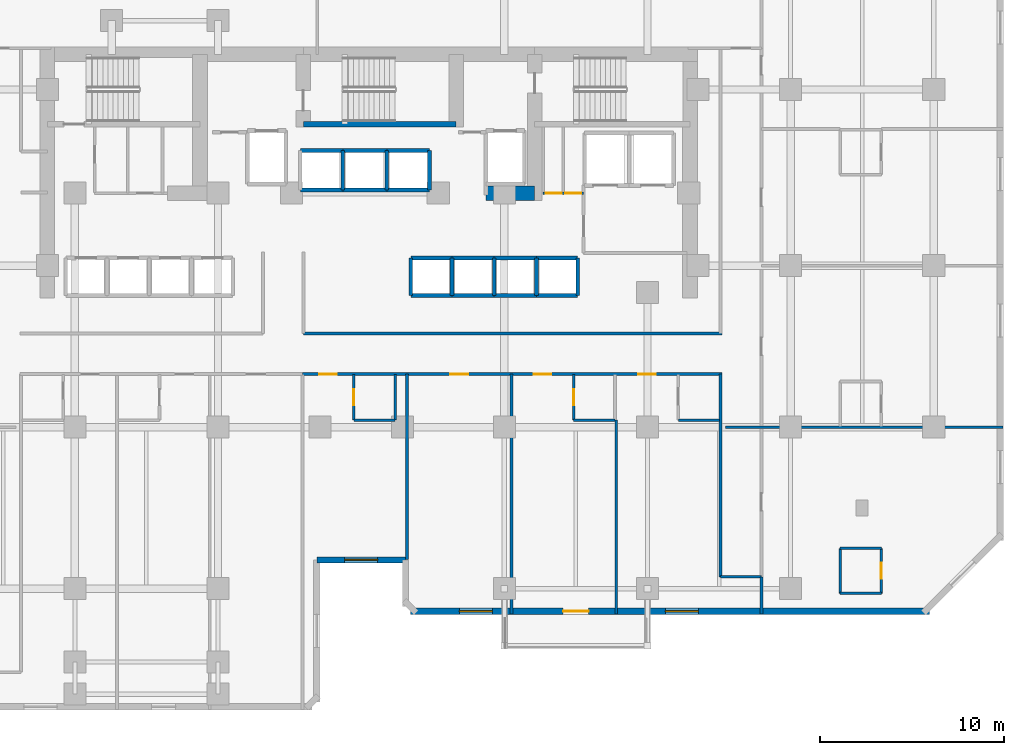
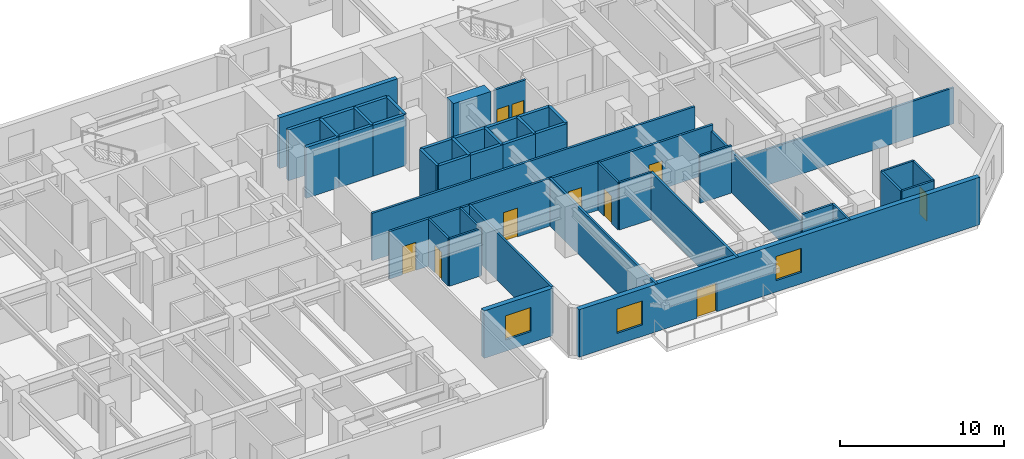
# One storey, part 7 of 12: 46 walls, 10 doors, 3 windows, 13 openings.
"""IFC4 building model written with IfcOpenShell, lengths in metres."""

from ifc_helpers import new_model, si_unit, direction, frame, frame_2d, origin, place, context, subcontext, project, spatial, rectangle, extrude, material, layer, layer_set, type_object, element, fill, save


model = new_model("IFC4")

# Units and contexts
model_context = context("Model", 3, precision=1e-05, world=origin(), true_north=direction((0.0, 1.0)))
body_context = subcontext(model_context, "Body", "Model", "MODEL_VIEW")
ifc_project = project(units=[si_unit("LENGTHUNIT", "METRE"), si_unit("AREAUNIT", "SQUARE_METRE"), si_unit("VOLUMEUNIT", "CUBIC_METRE"), si_unit("PLANEANGLEUNIT", "RADIAN"), si_unit("MASSUNIT", "GRAM", prefix="KILO")], contexts=[model_context])

# Site, building, storey
site_placement = place(None, origin())
site = spatial("IfcSite", under=ifc_project, at=site_placement, CompositionType="ELEMENT")
building_placement = place(site_placement, origin())
building = spatial("IfcBuilding", under=site, at=building_placement, Name="Kestravale Grand Hotel", CompositionType="ELEMENT")
storey_placement = place(building_placement, frame((0.0, 0.0, 122.199951171875)))
storey = spatial("IfcBuildingStorey", under=building, at=storey_placement, Name="L30", CompositionType="ELEMENT", Elevation=122.199951171875)

# Wall
ifc_material_1 = material(Name="Concrete f'c 60 MPa", Category="concrete")
ifc_layer_1 = layer(ifc_material_1, 0.800048828125)
ifc_layer_set_1 = layer_set([ifc_layer_1], Name="EW-CORE-800")
wall_type_1 = type_object("IfcWallType", Name="EW-CORE-800", PredefinedType="SHEAR", material=ifc_layer_set_1)
wall_1_placement = place(storey_placement, frame((45.81005859375, 32.75, 0.0), z_axis=(0.0, 0.0, 1.0), x_axis=(1.0, 0.0, 0.0)))
element("IfcWall", 1, at=wall_1_placement, inside=storey, type_object=wall_type_1, Name="L30 core shear wall S2", PredefinedType="SHEAR", context=body_context, shape_type="SweptSolid", body=[
    extrude(rectangle(XDim=2.639892578125, YDim=0.800048828125, at=frame_2d((1.31982421875, 0.0))), origin(), (0.0, 0.0, 1.0), 3.800048828125),
])

# Wall, opening, window
ifc_material_2 = material(Name="Precast concrete f'c 45 MPa", Category="concrete")
ifc_layer_2 = layer(ifc_material_2, 0.340087890625)
ifc_layer_set_2 = layer_set([ifc_layer_2], Name="EW-PREC-340")
wall_type_2 = type_object("IfcWallType", Name="EW-PREC-340", PredefinedType="SOLIDWALL", material=ifc_layer_set_2)
wall_2_placement = place(storey_placement, frame((36.580078125, 12.77001953125, 0.0), z_axis=(0.0, 0.0, 1.0), x_axis=(1.0, 0.0, 0.0)))
wall_2 = element("IfcWall", 2, at=wall_2_placement, inside=storey, type_object=wall_type_2, Name="L30 fluted precast facade wall 4", PredefinedType="SOLIDWALL", context=body_context, shape_type="SweptSolid", body=[
    extrude(rectangle(XDim=4.83984375, YDim=0.340087890625, at=frame_2d((2.419921875, 0.0))), origin(), (0.0, 0.0, 1.0), 3.5400390625),
])
opening_1_placement = place(wall_2_placement, frame((1.52001953125, 0.0, 0.85009765625)))
opening_1 = element("IfcOpeningElement", 3, at=opening_1_placement, cuts=wall_2, Name="Opening W-GUEST-1800", PredefinedType="OPENING", context=body_context, shape_type="SweptSolid", body=[
    extrude(rectangle(XDim=1.800048828125, YDim=1.800048828125, at=frame_2d((0.89990234375, 0.89990234375))), frame((0.0, 0.179931640625, 0.0), z_axis=(0.0, -1.0, 0.0), x_axis=(1.0, 0.0, 0.0)), (0.0, 0.0, 1.0), 0.360107421875),
])
ifc_material_3 = material(Name="Insulated low-E double glazing in aluminium frame", Category="aluminium")
window_type = type_object("IfcWindowType", Name="W-GUEST-1800", PartitioningType="DOUBLE_PANEL_VERTICAL", PredefinedType="WINDOW", material=ifc_material_3)
window_1_placement = place(opening_1_placement, origin())
window_1 = element("IfcWindow", 4, at=window_1_placement, inside=storey, type_object=window_type, Name="L30 exterior window 4.1", OverallHeight=1.800048828125, OverallWidth=1.800048828125, PartitioningType="SINGLE_PANEL", PredefinedType="WINDOW", context=body_context, shape_type="SweptSolid", body=[
    extrude(rectangle(XDim=1.800048828125, YDim=1.800048828125, at=frame_2d((0.89990234375, 0.89990234375))), frame((0.0, 0.030029296875, 0.0), z_axis=(0.0, -1.0, 0.0), x_axis=(1.0, 0.0, 0.0)), (0.0, 0.0, 1.0), 0.06005859375),
])
fill(opening_1, window_1)

# Wall, openings, door, windows
wall_3_placement = place(storey_placement, frame((41.679931640625, 9.969970703125, 0.0), z_axis=(0.0, 0.0, 1.0), x_axis=(1.0, 0.0, 0.0)))
wall_3 = element("IfcWall", 5, at=wall_3_placement, inside=storey, type_object=wall_type_2, Name="L30 fluted precast facade wall 7", PredefinedType="SOLIDWALL", context=body_context, shape_type="SweptSolid", body=[
    extrude(rectangle(XDim=28.2900390625, YDim=0.340087890625, at=frame_2d((14.14501953125, 0.0))), origin(), (0.0, 0.0, 1.0), 3.5400390625),
])
opening_2_placement = place(wall_3_placement, frame((8.320068359375, 0.0, 0.0)))
opening_2 = element("IfcOpeningElement", 6, at=opening_2_placement, cuts=wall_3, Name="Opening D-TERR-1400", PredefinedType="OPENING", context=body_context, shape_type="SweptSolid", body=[
    extrude(rectangle(XDim=1.39990234375, YDim=2.14990234375, at=frame_2d((0.699951171875, 1.074951171875))), frame((0.0, 0.179931640625, 0.0), z_axis=(0.0, -1.0, 0.0), x_axis=(1.0, 0.0, 0.0)), (0.0, 0.0, 1.0), 0.360107421875),
])
opening_3_placement = place(wall_3_placement, frame((2.6650390625, 0.0, 0.85009765625)))
opening_3 = element("IfcOpeningElement", 7, at=opening_3_placement, cuts=wall_3, Name="Opening W-GUEST-1800", PredefinedType="OPENING", context=body_context, shape_type="SweptSolid", body=[
    extrude(rectangle(XDim=1.800048828125, YDim=1.800048828125, at=frame_2d((0.89990234375, 0.89990234375))), frame((0.0, 0.179931640625, 0.0), z_axis=(0.0, -1.0, 0.0), x_axis=(1.0, 0.0, 0.0)), (0.0, 0.0, 1.0), 0.360107421875),
])
opening_4_placement = place(wall_3_placement, frame((13.89501953125, 0.0, 0.85009765625)))
opening_4 = element("IfcOpeningElement", 8, at=opening_4_placement, cuts=wall_3, Name="Opening W-GUEST-1800", PredefinedType="OPENING", context=body_context, shape_type="SweptSolid", body=[
    extrude(rectangle(XDim=1.800048828125, YDim=1.800048828125, at=frame_2d((0.89990234375, 0.89990234375))), frame((0.0, 0.179931640625, 0.0), z_axis=(0.0, -1.0, 0.0), x_axis=(1.0, 0.0, 0.0)), (0.0, 0.0, 1.0), 0.360107421875),
])
ifc_material_4 = material(Name="Insulated glazed champagne-bronze aluminium door", Category="aluminium")
door_type_1 = type_object("IfcDoorType", Name="D-TERR-1400", OperationType="NOTDEFINED", PredefinedType="DOOR", material=ifc_material_4)
door_1_placement = place(opening_2_placement, origin())
door_1 = element("IfcDoor", 9, at=door_1_placement, inside=storey, type_object=door_type_1, Name="L30 outdoor garden terrace door", OperationType="DOUBLE_DOOR_SINGLE_SWING", OverallHeight=2.14990234375, OverallWidth=1.39990234375, PredefinedType="DOOR", context=body_context, shape_type="SweptSolid", body=[
    extrude(rectangle(XDim=1.39990234375, YDim=2.14990234375, at=frame_2d((0.699951171875, 1.074951171875))), frame((0.0, 0.02490234375, 0.0), z_axis=(0.0, -1.0, 0.0), x_axis=(1.0, 0.0, 0.0)), (0.0, 0.0, 1.0), 0.050048828125),
])
fill(opening_2, door_1)
window_2_placement = place(opening_3_placement, origin())
window_2 = element("IfcWindow", 10, at=window_2_placement, inside=storey, type_object=window_type, Name="L30 exterior window 7.1", OverallHeight=1.800048828125, OverallWidth=1.800048828125, PartitioningType="SINGLE_PANEL", PredefinedType="WINDOW", context=body_context, shape_type="SweptSolid", body=[
    extrude(rectangle(XDim=1.800048828125, YDim=1.800048828125, at=frame_2d((0.89990234375, 0.89990234375))), frame((0.0, 0.030029296875, 0.0), z_axis=(0.0, -1.0, 0.0), x_axis=(1.0, 0.0, 0.0)), (0.0, 0.0, 1.0), 0.06005859375),
])
fill(opening_3, window_2)
window_3_placement = place(opening_4_placement, origin())
window_3 = element("IfcWindow", 11, at=window_3_placement, inside=storey, type_object=window_type, Name="L30 exterior window 7.2", OverallHeight=1.800048828125, OverallWidth=1.800048828125, PartitioningType="SINGLE_PANEL", PredefinedType="WINDOW", context=body_context, shape_type="SweptSolid", body=[
    extrude(rectangle(XDim=1.800048828125, YDim=1.800048828125, at=frame_2d((0.89990234375, 0.89990234375))), frame((0.0, 0.030029296875, 0.0), z_axis=(0.0, -1.0, 0.0), x_axis=(1.0, 0.0, 0.0)), (0.0, 0.0, 1.0), 0.06005859375),
])
fill(opening_4, window_3)

# Wall
ifc_material_5 = material(Name="Concrete f'c 45 MPa", Category="concrete")
ifc_layer_3 = layer(ifc_material_5, 0.300048828125)
ifc_layer_set_3 = layer_set([ifc_layer_3], Name="EW-STAIR-300")
wall_type_3 = type_object("IfcWallType", Name="EW-STAIR-300", PredefinedType="SHEAR", material=ifc_layer_set_3)
wall_4_placement = place(storey_placement, frame((35.85009765625, 36.52001953125, 0.0), z_axis=(0.0, 0.0, 1.0), x_axis=(1.0, 0.0, 0.0)))
element("IfcWall", 12, at=wall_4_placement, inside=storey, type_object=wall_type_3, Name="L30 stair enclosure shear wall SST2", PredefinedType="SHEAR", context=body_context, shape_type="SweptSolid", body=[
    extrude(rectangle(XDim=8.329833984375, YDim=0.300048828125, at=frame_2d((4.1650390625, 0.0))), origin(), (0.0, 0.0, 1.0), 3.800048828125),
])

# Wall, openings, doors
ifc_material_6 = material(Name="Acoustic fire-rated gypsum board partition", Category="other")
ifc_layer_4 = layer(ifc_material_6, 0.159912109375)
ifc_layer_set_4 = layer_set([ifc_layer_4], Name="IW-CORR-160")
wall_type_4 = type_object("IfcWallType", Name="IW-CORR-160", PredefinedType="PARTITIONING", material=ifc_layer_set_4)
wall_5_placement = place(storey_placement, frame((48.919921875, 32.75, 0.0), z_axis=(0.0, 0.0, 1.0), x_axis=(1.0, 0.0, 0.0)))
wall_5 = element("IfcWall", 13, at=wall_5_placement, inside=storey, type_object=wall_type_4, Name="W-L30-CES", PredefinedType="PARTITIONING", context=body_context, shape_type="SweptSolid", body=[
    extrude(rectangle(XDim=2.2001953125, YDim=0.159912109375, at=frame_2d((1.10009765625, 0.0))), origin(), (0.0, 0.0, 1.0), 3.5400390625),
])
opening_5_placement = place(wall_5_placement, frame((0.139892578125, 0.0, 0.0)))
opening_5 = element("IfcOpeningElement", 14, at=opening_5_placement, cuts=wall_5, Name="Opening D-SH-860", PredefinedType="OPENING", context=body_context, shape_type="SweptSolid", body=[
    extrude(rectangle(XDim=0.860107421875, YDim=2.050048828125, at=frame_2d((0.43017578125, 1.02490234375))), frame((0.0, 0.08984375, 0.0), z_axis=(0.0, -1.0, 0.0), x_axis=(1.0, 0.0, 0.0)), (0.0, 0.0, 1.0), 0.179931640625),
])
opening_6_placement = place(wall_5_placement, frame((1.199951171875, 0.0, 0.0)))
opening_6 = element("IfcOpeningElement", 15, at=opening_6_placement, cuts=wall_5, Name="Opening D-SH-860", PredefinedType="OPENING", context=body_context, shape_type="SweptSolid", body=[
    extrude(rectangle(XDim=0.860107421875, YDim=2.050048828125, at=frame_2d((0.43017578125, 1.02490234375))), frame((0.0, 0.08984375, 0.0), z_axis=(0.0, -1.0, 0.0), x_axis=(1.0, 0.0, 0.0)), (0.0, 0.0, 1.0), 0.179931640625),
])
ifc_material_7 = material(Name="Galvanised 90-minute riser fire door", Category="steel")
door_type_2 = type_object("IfcDoorType", Name="D-SH-860", OperationType="NOTDEFINED", PredefinedType="DOOR", material=ifc_material_7)
door_2_placement = place(opening_5_placement, origin())
door_2 = element("IfcDoor", 16, at=door_2_placement, inside=storey, type_object=door_type_2, Name="L30 CSTO1 door", OperationType="SINGLE_SWING_LEFT", OverallHeight=2.050048828125, OverallWidth=0.860107421875, PredefinedType="DOOR", context=body_context, shape_type="SweptSolid", body=[
    extrude(rectangle(XDim=0.860107421875, YDim=2.050048828125, at=frame_2d((0.43017578125, 1.02490234375))), frame((0.0, 0.02490234375, 0.0), z_axis=(0.0, -1.0, 0.0), x_axis=(1.0, 0.0, 0.0)), (0.0, 0.0, 1.0), 0.050048828125),
])
fill(opening_5, door_2)
door_3_placement = place(opening_6_placement, origin())
door_3 = element("IfcDoor", 17, at=door_3_placement, inside=storey, type_object=door_type_2, Name="L30 CSTO2 door", OperationType="SINGLE_SWING_RIGHT", OverallHeight=2.050048828125, OverallWidth=0.860107421875, PredefinedType="DOOR", context=body_context, shape_type="SweptSolid", body=[
    extrude(rectangle(XDim=0.860107421875, YDim=2.050048828125, at=frame_2d((0.43017578125, 1.02490234375))), frame((0.0, 0.02490234375, 0.0), z_axis=(0.0, -1.0, 0.0), x_axis=(1.0, 0.0, 0.0)), (0.0, 0.0, 1.0), 0.050048828125),
])
fill(opening_6, door_3)

# Wall
wall_6_placement = place(storey_placement, frame((35.85009765625, 25.110107421875, 0.0), z_axis=(0.0, 0.0, 1.0), x_axis=(1.0, 0.0, 0.0)))
element("IfcWall", 18, at=wall_6_placement, inside=storey, type_object=wall_type_4, Name="W-L30-CE-N", PredefinedType="PARTITIONING", context=body_context, shape_type="SweptSolid", body=[
    extrude(rectangle(XDim=22.7998046875, YDim=0.159912109375, at=frame_2d((11.39990234375, 0.0))), origin(), (0.0, 0.0, 1.0), 3.5400390625),
])

# Wall, openings, doors
wall_7_placement = place(storey_placement, frame((35.800048828125, 22.889892578125, 0.0), z_axis=(0.0, 0.0, 1.0), x_axis=(1.0, 0.0, 0.0)))
wall_7 = element("IfcWall", 19, at=wall_7_placement, inside=storey, type_object=wall_type_4, Name="W-L30-CE-S", PredefinedType="PARTITIONING", context=body_context, shape_type="SweptSolid", body=[
    extrude(rectangle(XDim=22.849853515625, YDim=0.159912109375, at=frame_2d((11.4248046875, 0.0))), origin(), (0.0, 0.0, 1.0), 3.5400390625),
])
opening_7_placement = place(wall_7_placement, frame((0.923828125, 0.0, 0.0)))
opening_7 = element("IfcOpeningElement", 20, at=opening_7_placement, cuts=wall_7, Name="Opening D-GUEST-950", PredefinedType="OPENING", context=body_context, shape_type="SweptSolid", body=[
    extrude(rectangle(XDim=0.949951171875, YDim=2.10009765625, at=frame_2d((0.47509765625, 1.050048828125))), frame((0.0, 0.08984375, 0.0), z_axis=(0.0, -1.0, 0.0), x_axis=(1.0, 0.0, 0.0)), (0.0, 0.0, 1.0), 0.179931640625),
])
opening_8_placement = place(wall_7_placement, frame((8.04638671875, 0.0, 0.0)))
opening_8 = element("IfcOpeningElement", 21, at=opening_8_placement, cuts=wall_7, Name="Opening D-GUEST-1000", PredefinedType="OPENING", context=body_context, shape_type="SweptSolid", body=[
    extrude(rectangle(XDim=1.0, YDim=2.14990234375, at=frame_2d((0.5, 1.074951171875))), frame((0.0, 0.08984375, 0.0), z_axis=(0.0, -1.0, 0.0), x_axis=(1.0, 0.0, 0.0)), (0.0, 0.0, 1.0), 0.179931640625),
])
opening_9_placement = place(wall_7_placement, frame((12.61376953125, 0.0, 0.0)))
opening_9 = element("IfcOpeningElement", 22, at=opening_9_placement, cuts=wall_7, Name="Opening D-GUEST-950", PredefinedType="OPENING", context=body_context, shape_type="SweptSolid", body=[
    extrude(rectangle(XDim=0.949951171875, YDim=2.10009765625, at=frame_2d((0.47509765625, 1.050048828125))), frame((0.0, 0.08984375, 0.0), z_axis=(0.0, -1.0, 0.0), x_axis=(1.0, 0.0, 0.0)), (0.0, 0.0, 1.0), 0.179931640625),
])
opening_10_placement = place(wall_7_placement, frame((18.311279296875, 0.0, 0.0)))
opening_10 = element("IfcOpeningElement", 23, at=opening_10_placement, cuts=wall_7, Name="Opening D-GUEST-950", PredefinedType="OPENING", context=body_context, shape_type="SweptSolid", body=[
    extrude(rectangle(XDim=0.949951171875, YDim=2.10009765625, at=frame_2d((0.47509765625, 1.050048828125))), frame((0.0, 0.08984375, 0.0), z_axis=(0.0, -1.0, 0.0), x_axis=(1.0, 0.0, 0.0)), (0.0, 0.0, 1.0), 0.179931640625),
])
ifc_material_8 = material(Name="Accessible walnut veneer hotel entrance fire door", Category="wood")
door_type_3 = type_object("IfcDoorType", Name="D-GUEST-1000", OperationType="NOTDEFINED", PredefinedType="DOOR", material=ifc_material_8)
door_4_placement = place(opening_8_placement, origin())
door_4 = element("IfcDoor", 24, at=door_4_placement, inside=storey, type_object=door_type_3, Name="D-L30-AME", OperationType="SINGLE_SWING_RIGHT", OverallHeight=2.14990234375, OverallWidth=1.0, PredefinedType="DOOR", context=body_context, shape_type="SweptSolid", body=[
    extrude(rectangle(XDim=1.0, YDim=2.14990234375, at=frame_2d((0.5, 1.074951171875))), frame((0.0, 0.02490234375, 0.0), z_axis=(0.0, -1.0, 0.0), x_axis=(1.0, 0.0, 0.0)), (0.0, 0.0, 1.0), 0.050048828125),
])
fill(opening_8, door_4)
ifc_material_9 = material(Name="Walnut veneer hotel guestroom entrance fire door", Category="wood")
door_type_4 = type_object("IfcDoorType", Name="D-GUEST-950", OperationType="NOTDEFINED", PredefinedType="DOOR", material=ifc_material_9)
door_5_placement = place(opening_7_placement, origin())
door_5 = element("IfcDoor", 25, at=door_5_placement, inside=storey, type_object=door_type_4, Name="D-L30-U03-ENT", OperationType="SINGLE_SWING_LEFT", OverallHeight=2.10009765625, OverallWidth=0.949951171875, PredefinedType="DOOR", context=body_context, shape_type="SweptSolid", body=[
    extrude(rectangle(XDim=0.949951171875, YDim=2.10009765625, at=frame_2d((0.47509765625, 1.050048828125))), frame((0.0, 0.02490234375, 0.0), z_axis=(0.0, -1.0, 0.0), x_axis=(1.0, 0.0, 0.0)), (0.0, 0.0, 1.0), 0.050048828125),
])
fill(opening_7, door_5)
door_6_placement = place(opening_9_placement, origin())
door_6 = element("IfcDoor", 26, at=door_6_placement, inside=storey, type_object=door_type_4, Name="D-L30-U04-ENT", OperationType="SINGLE_SWING_RIGHT", OverallHeight=2.10009765625, OverallWidth=0.949951171875, PredefinedType="DOOR", context=body_context, shape_type="SweptSolid", body=[
    extrude(rectangle(XDim=0.949951171875, YDim=2.10009765625, at=frame_2d((0.47509765625, 1.050048828125))), frame((0.0, 0.02490234375, 0.0), z_axis=(0.0, -1.0, 0.0), x_axis=(1.0, 0.0, 0.0)), (0.0, 0.0, 1.0), 0.050048828125),
])
fill(opening_9, door_6)
door_7_placement = place(opening_10_placement, origin())
door_7 = element("IfcDoor", 27, at=door_7_placement, inside=storey, type_object=door_type_4, Name="D-L30-U05-ENT", OperationType="SINGLE_SWING_RIGHT", OverallHeight=2.10009765625, OverallWidth=0.949951171875, PredefinedType="DOOR", context=body_context, shape_type="SweptSolid", body=[
    extrude(rectangle(XDim=0.949951171875, YDim=2.10009765625, at=frame_2d((0.47509765625, 1.050048828125))), frame((0.0, 0.02490234375, 0.0), z_axis=(0.0, -1.0, 0.0), x_axis=(1.0, 0.0, 0.0)), (0.0, 0.0, 1.0), 0.050048828125),
])
fill(opening_10, door_7)

# Wall
wall_8_placement = place(storey_placement, frame((58.590087890625, 11.85009765625, 0.0), z_axis=(0.0, 0.0, 1.0), x_axis=(0.0, 1.0, 0.0)))
element("IfcWall", 28, at=wall_8_placement, inside=storey, type_object=wall_type_4, Name="W-L30-SE-W", PredefinedType="PARTITIONING", context=body_context, shape_type="SweptSolid", body=[
    extrude(rectangle(XDim=11.039794921875, YDim=0.159912109375, at=frame_2d((5.52001953125, 0.0))), origin(), (0.0, 0.0, 1.0), 3.0830078125),
])

# Wall, opening, door
ifc_material_10 = material(Name="Moisture-resistant tile-backer plumbing chase wall", Category="other")
ifc_layer_5 = layer(ifc_material_10, 0.139892578125)
ifc_layer_set_5 = layer_set([ifc_layer_5], Name="IW-PLB-140")
wall_type_5 = type_object("IfcWallType", Name="IW-PLB-140", PredefinedType="PLUMBINGWALL", material=ifc_layer_set_5)
wall_9_placement = place(storey_placement, frame((38.597412109375, 20.3798828125, 0.0), z_axis=(0.0, 0.0, 1.0), x_axis=(0.0, 1.0, 0.0)))
wall_9 = element("IfcWall", 29, at=wall_9_placement, inside=storey, type_object=wall_type_5, Name="W-L30-U03-BW", PredefinedType="PLUMBINGWALL", context=body_context, shape_type="SweptSolid", body=[
    extrude(rectangle(XDim=2.490234375, YDim=0.139892578125, at=frame_2d((1.2451171875, 0.0))), origin(), (0.0, 0.0, 1.0), 3.5400390625),
])
opening_11_placement = place(wall_9_placement, frame((0.804931640625, 0.0, 0.0)))
opening_11 = element("IfcOpeningElement", 30, at=opening_11_placement, cuts=wall_9, Name="Opening D-BATH-880", PredefinedType="OPENING", context=body_context, shape_type="SweptSolid", body=[
    extrude(rectangle(XDim=0.8798828125, YDim=2.050048828125, at=frame_2d((0.43994140625, 1.02490234375))), frame((0.0, 0.079833984375, 0.0), z_axis=(0.0, -1.0, 0.0), x_axis=(1.0, 0.0, 0.0)), (0.0, 0.0, 1.0), 0.159912109375),
])
ifc_material_11 = material(Name="Moisture-sealed walnut en-suite bathroom door", Category="wood")
door_type_5 = type_object("IfcDoorType", Name="D-BATH-880", OperationType="NOTDEFINED", PredefinedType="DOOR", material=ifc_material_11)
door_8_placement = place(opening_11_placement, origin())
door_8 = element("IfcDoor", 31, at=door_8_placement, inside=storey, type_object=door_type_5, Name="D-L30-U03-BATH", OperationType="SINGLE_SWING_RIGHT", OverallHeight=2.050048828125, OverallWidth=0.8798828125, PredefinedType="DOOR", context=body_context, shape_type="SweptSolid", body=[
    extrude(rectangle(XDim=0.8798828125, YDim=2.050048828125, at=frame_2d((0.43994140625, 1.02490234375))), frame((0.0, 0.02490234375, 0.0), z_axis=(0.0, -1.0, 0.0), x_axis=(1.0, 0.0, 0.0)), (0.0, 0.0, 1.0), 0.050048828125),
])
fill(opening_11, door_8)

# Walls
wall_10_placement = place(storey_placement, frame((40.847412109375, 20.3798828125, 0.0), z_axis=(0.0, 0.0, 1.0), x_axis=(0.0, 1.0, 0.0)))
element("IfcWall", 32, at=wall_10_placement, inside=storey, type_object=wall_type_5, Name="W-L30-U03-BE", PredefinedType="PLUMBINGWALL", context=body_context, shape_type="SweptSolid", body=[
    extrude(rectangle(XDim=2.490234375, YDim=0.139892578125, at=frame_2d((1.2451171875, 0.0))), origin(), (0.0, 0.0, 1.0), 3.5400390625),
])
wall_11_placement = place(storey_placement, frame((38.597412109375, 20.3798828125, 0.0), z_axis=(0.0, 0.0, 1.0), x_axis=(1.0, 0.0, 0.0)))
element("IfcWall", 33, at=wall_11_placement, inside=storey, type_object=wall_type_5, Name="W-L30-U03-BS", PredefinedType="PLUMBINGWALL", context=body_context, shape_type="SweptSolid", body=[
    extrude(rectangle(XDim=2.25, YDim=0.139892578125, at=frame_2d((1.125, 0.0))), origin(), (0.0, 0.0, 1.0), 3.5400390625),
])

# Wall, opening, door
wall_12_placement = place(storey_placement, frame((50.58251953125, 20.3798828125, 0.0), z_axis=(0.0, 0.0, 1.0), x_axis=(0.0, 1.0, 0.0)))
wall_12 = element("IfcWall", 34, at=wall_12_placement, inside=storey, type_object=wall_type_5, Name="W-L30-U04-BW", PredefinedType="PLUMBINGWALL", context=body_context, shape_type="SweptSolid", body=[
    extrude(rectangle(XDim=2.490234375, YDim=0.139892578125, at=frame_2d((1.2451171875, 0.0))), origin(), (0.0, 0.0, 1.0), 3.5400390625),
])
opening_12_placement = place(wall_12_placement, frame((0.804931640625, 0.0, 0.0)))
opening_12 = element("IfcOpeningElement", 35, at=opening_12_placement, cuts=wall_12, Name="Opening D-BATH-880", PredefinedType="OPENING", context=body_context, shape_type="SweptSolid", body=[
    extrude(rectangle(XDim=0.8798828125, YDim=2.050048828125, at=frame_2d((0.43994140625, 1.02490234375))), frame((0.0, 0.079833984375, 0.0), z_axis=(0.0, -1.0, 0.0), x_axis=(1.0, 0.0, 0.0)), (0.0, 0.0, 1.0), 0.159912109375),
])
door_9_placement = place(opening_12_placement, origin())
door_9 = element("IfcDoor", 36, at=door_9_placement, inside=storey, type_object=door_type_5, Name="D-L30-U04-BATH", OperationType="SINGLE_SWING_LEFT", OverallHeight=2.050048828125, OverallWidth=0.8798828125, PredefinedType="DOOR", context=body_context, shape_type="SweptSolid", body=[
    extrude(rectangle(XDim=0.8798828125, YDim=2.050048828125, at=frame_2d((0.43994140625, 1.02490234375))), frame((0.0, 0.02490234375, 0.0), z_axis=(0.0, -1.0, 0.0), x_axis=(1.0, 0.0, 0.0)), (0.0, 0.0, 1.0), 0.050048828125),
])
fill(opening_12, door_9)

# Walls
for number, where, z_axis, x_axis, name in (
    (37, (50.58251953125, 20.3798828125, 0.0), (0.0, 0.0, 1.0), (1.0, 0.0, 0.0), "W-L30-U04-BS"),
    (38, (56.280029296875, 20.3798828125, 0.0), (0.0, 0.0, 1.0), (1.0, 0.0, 0.0), "W-L30-U05-BS"),
):
    element("IfcWall", number, at=place(storey_placement, frame(where, z_axis=z_axis, x_axis=x_axis)), inside=storey, type_object=wall_type_5, Name=name, PredefinedType="PLUMBINGWALL", context=body_context, shape_type="SweptSolid", body=[
        extrude(rectangle(XDim=2.25, YDim=0.139892578125, at=frame_2d((1.125, 0.0))), origin(), (0.0, 0.0, 1.0), 3.5400390625),
    ])
wall_13_placement = place(storey_placement, frame((65.10009765625, 10.949951171875, 0.0), z_axis=(0.0, 0.0, 1.0), x_axis=(0.0, 1.0, 0.0)))
element("IfcWall", 39, at=wall_13_placement, inside=storey, type_object=wall_type_5, Name="W-L30-U10-BW", PredefinedType="PLUMBINGWALL", context=body_context, shape_type="SweptSolid", body=[
    extrude(rectangle(XDim=2.449951171875, YDim=0.139892578125, at=frame_2d((1.22509765625, 0.0))), origin(), (0.0, 0.0, 1.0), 3.5400390625),
])

# Wall, opening, door
wall_14_placement = place(storey_placement, frame((67.35009765625, 10.949951171875, 0.0), z_axis=(0.0, 0.0, 1.0), x_axis=(0.0, 1.0, 0.0)))
wall_14 = element("IfcWall", 40, at=wall_14_placement, inside=storey, type_object=wall_type_5, Name="W-L30-U10-BE", PredefinedType="PLUMBINGWALL", context=body_context, shape_type="SweptSolid", body=[
    extrude(rectangle(XDim=2.449951171875, YDim=0.139892578125, at=frame_2d((1.22509765625, 0.0))), origin(), (0.0, 0.0, 1.0), 3.5400390625),
])
opening_13_placement = place(wall_14_placement, frame((0.784912109375, 0.0, 0.0)))
opening_13 = element("IfcOpeningElement", 41, at=opening_13_placement, cuts=wall_14, Name="Opening D-BATH-880", PredefinedType="OPENING", context=body_context, shape_type="SweptSolid", body=[
    extrude(rectangle(XDim=0.8798828125, YDim=2.050048828125, at=frame_2d((0.43994140625, 1.02490234375))), frame((0.0, 0.079833984375, 0.0), z_axis=(0.0, -1.0, 0.0), x_axis=(1.0, 0.0, 0.0)), (0.0, 0.0, 1.0), 0.159912109375),
])
door_10_placement = place(opening_13_placement, origin())
door_10 = element("IfcDoor", 42, at=door_10_placement, inside=storey, type_object=door_type_5, Name="D-L30-U10-BATH", OperationType="SINGLE_SWING_RIGHT", OverallHeight=2.050048828125, OverallWidth=0.8798828125, PredefinedType="DOOR", context=body_context, shape_type="SweptSolid", body=[
    extrude(rectangle(XDim=0.8798828125, YDim=2.050048828125, at=frame_2d((0.43994140625, 1.02490234375))), frame((0.0, 0.02490234375, 0.0), z_axis=(0.0, -1.0, 0.0), x_axis=(1.0, 0.0, 0.0)), (0.0, 0.0, 1.0), 0.050048828125),
])
fill(opening_13, door_10)

# Walls
for number, where, z_axis, x_axis, name in (
    (43, (65.10009765625, 10.949951171875, 0.0), (0.0, 0.0, 1.0), (1.0, 0.0, 0.0), "W-L30-U10-BS"),
    (44, (65.10009765625, 13.39990234375, 0.0), (0.0, 0.0, 1.0), (1.0, 0.0, 0.0), "W-L30-U10-BN"),
):
    element("IfcWall", number, at=place(storey_placement, frame(where, z_axis=z_axis, x_axis=x_axis)), inside=storey, type_object=wall_type_5, Name=name, PredefinedType="PLUMBINGWALL", context=body_context, shape_type="SweptSolid", body=[
        extrude(rectangle(XDim=2.25, YDim=0.139892578125, at=frame_2d((1.125, 0.0))), origin(), (0.0, 0.0, 1.0), 3.5400390625),
    ])
ifc_material_12 = material(Name="Concrete f'c 45 MPa", Category="concrete")
ifc_layer_6 = layer(ifc_material_12, 0.199951171875)
ifc_layer_set_6 = layer_set([ifc_layer_6], Name="IW-SHAFT-200")
wall_type_6 = type_object("IfcWallType", Name="IW-SHAFT-200", PredefinedType="SHEAR", material=ifc_layer_set_6)
for number, where, z_axis, x_axis, name in (
    (45, (41.705078125, 27.169921875, 0.0), (0.0, 0.0, 1.0), (0.0, 1.0, 0.0), "L30 PL-M1 west shaft wall"),
    (46, (43.949951171875, 27.169921875, 0.0), (0.0, 0.0, 1.0), (0.0, 1.0, 0.0), "L30 PL-M2 west shaft wall"),
    (47, (46.25, 27.169921875, 0.0), (0.0, 0.0, 1.0), (0.0, 1.0, 0.0), "L30 PL-M3 west shaft wall"),
    (48, (48.550048828125, 27.169921875, 0.0), (0.0, 0.0, 1.0), (0.0, 1.0, 0.0), "L30 PL-M4 west shaft wall"),
    (49, (50.794921875, 27.169921875, 0.0), (0.0, 0.0, 1.0), (0.0, 1.0, 0.0), "L30 PL-M4 east shaft wall"),
):
    element("IfcWall", number, at=place(storey_placement, frame(where, z_axis=z_axis, x_axis=x_axis)), inside=storey, type_object=wall_type_6, Name=name, PredefinedType="SHEAR", context=body_context, shape_type="SweptSolid", body=[
        extrude(rectangle(XDim=2.06005859375, YDim=0.199951171875, at=frame_2d((1.030029296875, 0.0))), origin(), (0.0, 0.0, 1.0), 3.800048828125),
    ])
for number, where, z_axis, x_axis, name in (
    (50, (38.0, 32.919921875, 0.0), (0.0, 0.0, 1.0), (0.0, 1.0, 0.0), "L30 PL-X2 west shaft wall"),
    (51, (40.39990234375, 32.919921875, 0.0), (0.0, 0.0, 1.0), (0.0, 1.0, 0.0), "L30 PL-X3 west shaft wall"),
    (52, (42.719970703125, 32.919921875, 0.0), (0.0, 0.0, 1.0), (0.0, 1.0, 0.0), "L30 PL-X3 east shaft wall"),
):
    element("IfcWall", number, at=place(storey_placement, frame(where, z_axis=z_axis, x_axis=x_axis)), inside=storey, type_object=wall_type_6, Name=name, PredefinedType="SHEAR", context=body_context, shape_type="SweptSolid", body=[
        extrude(rectangle(XDim=2.16015625, YDim=0.199951171875, at=frame_2d((1.080078125, 0.0))), origin(), (0.0, 0.0, 1.0), 3.800048828125),
    ])
ifc_material_13 = material(Name="Concrete f'c 45 MPa", Category="concrete")
ifc_layer_7 = layer(ifc_material_13, 0.219970703125)
ifc_layer_set_7 = layer_set([ifc_layer_7], Name="IW-SHAFT-220")
wall_type_7 = type_object("IfcWallType", Name="IW-SHAFT-220", PredefinedType="SHEAR", material=ifc_layer_set_7)
for number, where, z_axis, x_axis, name in (
    (53, (41.705078125, 29.22998046875, 0.0), (0.0, 0.0, 1.0), (1.0, 0.0, 0.0), "L30 PL-M1 north shaft wall"),
    (54, (41.705078125, 27.169921875, 0.0), (0.0, 0.0, 1.0), (1.0, 0.0, 0.0), "L30 PL-M1 south shaft wall"),
):
    element("IfcWall", number, at=place(storey_placement, frame(where, z_axis=z_axis, x_axis=x_axis)), inside=storey, type_object=wall_type_7, Name=name, PredefinedType="SHEAR", context=body_context, shape_type="SweptSolid", body=[
        extrude(rectangle(XDim=2.244873046875, YDim=0.219970703125, at=frame_2d((1.12255859375, 0.0))), origin(), (0.0, 0.0, 1.0), 3.800048828125),
    ])
for number, where, z_axis, x_axis, name in (
    (55, (43.949951171875, 29.22998046875, 0.0), (0.0, 0.0, 1.0), (1.0, 0.0, 0.0), "L30 PL-M2 north shaft wall"),
    (56, (43.949951171875, 27.169921875, 0.0), (0.0, 0.0, 1.0), (1.0, 0.0, 0.0), "L30 PL-M2 south shaft wall"),
    (57, (46.25, 29.22998046875, 0.0), (0.0, 0.0, 1.0), (1.0, 0.0, 0.0), "L30 PL-M3 north shaft wall"),
    (58, (46.25, 27.169921875, 0.0), (0.0, 0.0, 1.0), (1.0, 0.0, 0.0), "L30 PL-M3 south shaft wall"),
):
    element("IfcWall", number, at=place(storey_placement, frame(where, z_axis=z_axis, x_axis=x_axis)), inside=storey, type_object=wall_type_7, Name=name, PredefinedType="SHEAR", context=body_context, shape_type="SweptSolid", body=[
        extrude(rectangle(XDim=2.300048828125, YDim=0.219970703125, at=frame_2d((1.14990234375, 0.0))), origin(), (0.0, 0.0, 1.0), 3.800048828125),
    ])
for number, where, z_axis, x_axis, name in (
    (59, (48.550048828125, 29.22998046875, 0.0), (0.0, 0.0, 1.0), (1.0, 0.0, 0.0), "L30 PL-M4 north shaft wall"),
    (60, (48.550048828125, 27.169921875, 0.0), (0.0, 0.0, 1.0), (1.0, 0.0, 0.0), "L30 PL-M4 south shaft wall"),
):
    element("IfcWall", number, at=place(storey_placement, frame(where, z_axis=z_axis, x_axis=x_axis)), inside=storey, type_object=wall_type_7, Name=name, PredefinedType="SHEAR", context=body_context, shape_type="SweptSolid", body=[
        extrude(rectangle(XDim=2.244873046875, YDim=0.219970703125, at=frame_2d((1.12255859375, 0.0))), origin(), (0.0, 0.0, 1.0), 3.800048828125),
    ])
for number, where, z_axis, x_axis, name in (
    (61, (35.679931640625, 35.080078125, 0.0), (0.0, 0.0, 1.0), (1.0, 0.0, 0.0), "L30 PL-X1 north shaft wall"),
    (62, (35.679931640625, 32.919921875, 0.0), (0.0, 0.0, 1.0), (1.0, 0.0, 0.0), "L30 PL-X1 south shaft wall"),
):
    element("IfcWall", number, at=place(storey_placement, frame(where, z_axis=z_axis, x_axis=x_axis)), inside=storey, type_object=wall_type_7, Name=name, PredefinedType="SHEAR", context=body_context, shape_type="SweptSolid", body=[
        extrude(rectangle(XDim=2.320068359375, YDim=0.219970703125, at=frame_2d((1.16015625, 0.0))), origin(), (0.0, 0.0, 1.0), 3.800048828125),
    ])
for number, where, z_axis, x_axis, name in (
    (63, (38.0, 35.080078125, 0.0), (0.0, 0.0, 1.0), (1.0, 0.0, 0.0), "L30 PL-X2 north shaft wall"),
    (64, (38.0, 32.919921875, 0.0), (0.0, 0.0, 1.0), (1.0, 0.0, 0.0), "L30 PL-X2 south shaft wall"),
):
    element("IfcWall", number, at=place(storey_placement, frame(where, z_axis=z_axis, x_axis=x_axis)), inside=storey, type_object=wall_type_7, Name=name, PredefinedType="SHEAR", context=body_context, shape_type="SweptSolid", body=[
        extrude(rectangle(XDim=2.39990234375, YDim=0.219970703125, at=frame_2d((1.199951171875, 0.0))), origin(), (0.0, 0.0, 1.0), 3.800048828125),
    ])
for number, where, z_axis, x_axis, name in (
    (65, (40.39990234375, 35.080078125, 0.0), (0.0, 0.0, 1.0), (1.0, 0.0, 0.0), "L30 PL-X3 north shaft wall"),
    (66, (40.39990234375, 32.919921875, 0.0), (0.0, 0.0, 1.0), (1.0, 0.0, 0.0), "L30 PL-X3 south shaft wall"),
):
    element("IfcWall", number, at=place(storey_placement, frame(where, z_axis=z_axis, x_axis=x_axis)), inside=storey, type_object=wall_type_7, Name=name, PredefinedType="SHEAR", context=body_context, shape_type="SweptSolid", body=[
        extrude(rectangle(XDim=2.320068359375, YDim=0.219970703125, at=frame_2d((1.16015625, 0.0))), origin(), (0.0, 0.0, 1.0), 3.800048828125),
    ])
ifc_material_14 = material(Name="Double-stud STC 52 acoustic demising partition", Category="other")
ifc_layer_8 = layer(ifc_material_14, 0.14990234375)
ifc_layer_set_8 = layer_set([ifc_layer_8], Name="IW-UNIT-150")
wall_type_8 = type_object("IfcWallType", Name="IW-UNIT-150", PredefinedType="PARTITIONING", material=ifc_layer_set_8)
wall_15_placement = place(storey_placement, frame((58.590087890625, 11.85009765625, 0.0), z_axis=(0.0, 0.0, 1.0), x_axis=(1.0, 0.0, 0.0)))
element("IfcWall", 67, at=wall_15_placement, inside=storey, type_object=wall_type_8, Name="W-L30-SE-S", PredefinedType="PARTITIONING", context=body_context, shape_type="SweptSolid", body=[
    extrude(rectangle(XDim=2.219970703125, YDim=0.14990234375, at=frame_2d((1.10986328125, 0.0))), origin(), (0.0, 0.0, 1.0), 3.5400390625),
])
wall_16_placement = place(storey_placement, frame((41.49755859375, 12.7900390625, 0.0), z_axis=(0.0, 0.0, 1.0), x_axis=(0.0, 1.0, 0.0)))
element("IfcWall", 68, at=wall_16_placement, inside=storey, type_object=wall_type_8, Name="W-L30-ES-1", PredefinedType="PARTITIONING", context=body_context, shape_type="SweptSolid", body=[
    extrude(rectangle(XDim=10.099853515625, YDim=0.14990234375, at=frame_2d((5.0498046875, 0.0))), origin(), (0.0, 0.0, 1.0), 3.5400390625),
])
wall_17_placement = place(storey_placement, frame((47.195068359375, 9.820068359375, 0.0), z_axis=(0.0, 0.0, 1.0), x_axis=(0.0, 1.0, 0.0)))
element("IfcWall", 69, at=wall_17_placement, inside=storey, type_object=wall_type_8, Name="W-L30-ES-2", PredefinedType="PARTITIONING", context=body_context, shape_type="SweptSolid", body=[
    extrude(rectangle(XDim=13.06982421875, YDim=0.14990234375, at=frame_2d((6.534912109375, 0.0))), origin(), (0.0, 0.0, 1.0), 3.5400390625),
])
wall_18_placement = place(storey_placement, frame((52.892578125, 9.820068359375, 0.0), z_axis=(0.0, 0.0, 1.0), x_axis=(0.0, 1.0, 0.0)))
element("IfcWall", 70, at=wall_18_placement, inside=storey, type_object=wall_type_8, Name="W-L30-ES-3", PredefinedType="PARTITIONING", context=body_context, shape_type="SweptSolid", body=[
    extrude(rectangle(XDim=10.559814453125, YDim=0.14990234375, at=frame_2d((5.27978515625, 0.0))), origin(), (0.0, 0.0, 1.0), 3.5400390625),
])
wall_19_placement = place(storey_placement, frame((60.81005859375, 9.820068359375, 0.0), z_axis=(0.0, 0.0, 1.0), x_axis=(0.0, 1.0, 0.0)))
element("IfcWall", 71, at=wall_19_placement, inside=storey, type_object=wall_type_8, Name="W-L30-SE-EXT", PredefinedType="PARTITIONING", context=body_context, shape_type="SweptSolid", body=[
    extrude(rectangle(XDim=2.030029296875, YDim=0.14990234375, at=frame_2d((1.01513671875, 0.0))), origin(), (0.0, 0.0, 1.0), 3.5400390625),
])
wall_20_placement = place(storey_placement, frame((58.860107421875, 20.0, 0.0), z_axis=(0.0, 0.0, 1.0), x_axis=(1.0, 0.0, 0.0)))
element("IfcWall", 72, at=wall_20_placement, inside=storey, type_object=wall_type_8, Name="W-L30-ASPL-10", PredefinedType="PARTITIONING", context=body_context, shape_type="SweptSolid", body=[
    extrude(rectangle(XDim=15.119873046875, YDim=0.14990234375, at=frame_2d((7.56005859375, 0.0))), origin(), (0.0, 0.0, 1.0), 2.678955078125),
])

save(model, "model.ifc")
